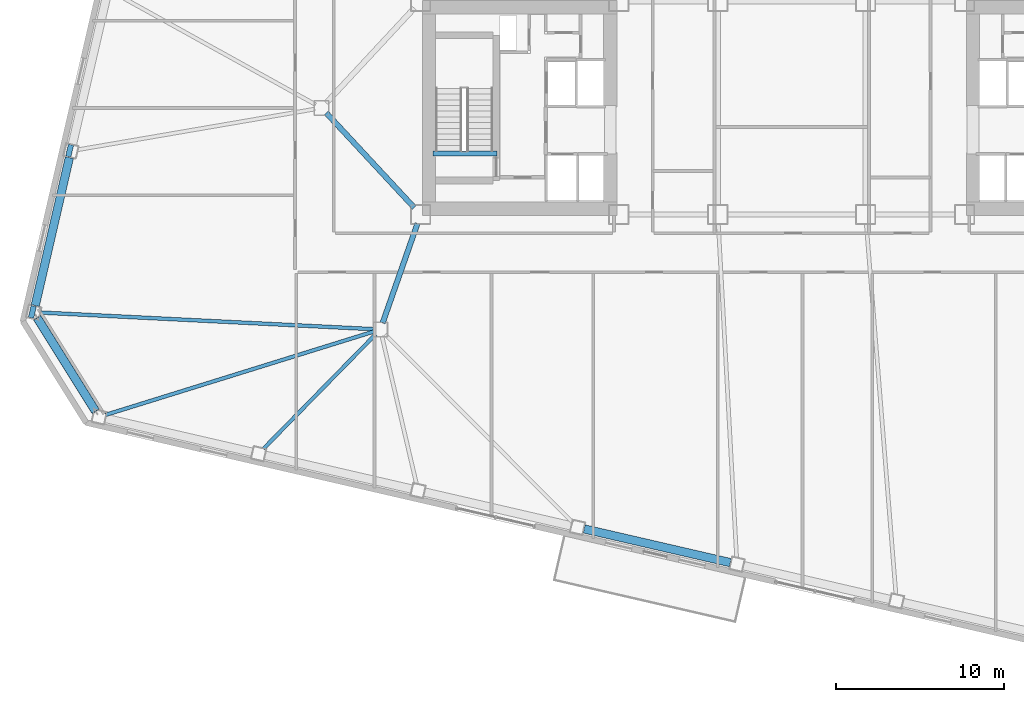
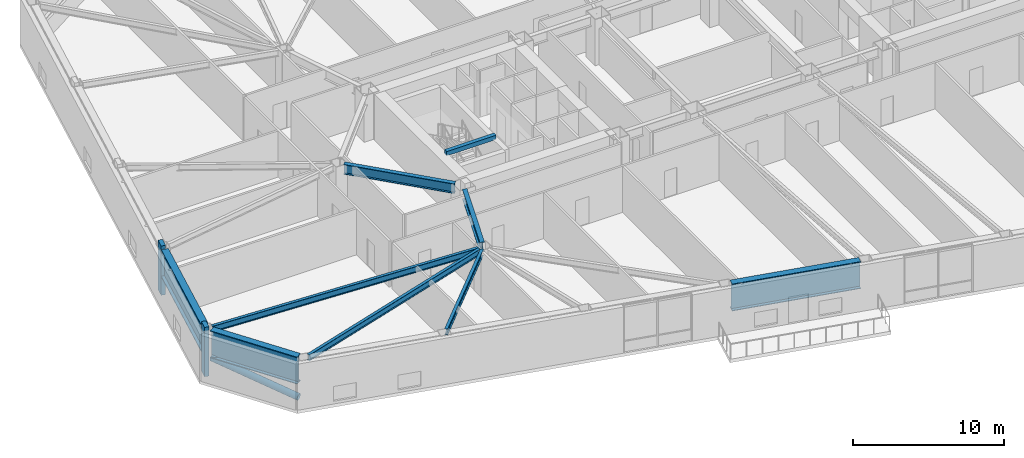
# One storey, part 3 of 21: 9 beams, 3 members.
"""IFC4 building model written with IfcOpenShell, lengths in metres."""

from ifc_helpers import new_model, si_unit, direction, frame, origin, origin_2d, place, context, subcontext, project, spatial, rectangle, hollow_circle, i_section, extrude, material, material_profile, profile_set, type_object, element, save


model = new_model("IFC4")

# Units and contexts
model_context = context("Model", 3, precision=1e-05, world=origin(), true_north=direction((0.0, 1.0)))
body_context = subcontext(model_context, "Body", "Model", "MODEL_VIEW")
ifc_project = project(units=[si_unit("LENGTHUNIT", "METRE"), si_unit("AREAUNIT", "SQUARE_METRE"), si_unit("VOLUMEUNIT", "CUBIC_METRE"), si_unit("PLANEANGLEUNIT", "RADIAN"), si_unit("MASSUNIT", "GRAM", prefix="KILO")], contexts=[model_context])

# Site, building, storey
site_placement = place(None, origin())
site = spatial("IfcSite", under=ifc_project, at=site_placement, CompositionType="ELEMENT")
building_placement = place(site_placement, origin())
building = spatial("IfcBuilding", under=site, at=building_placement, Name="Tavrogorsk Clinical Tower", CompositionType="ELEMENT")
storey_placement = place(building_placement, frame((0.0, 0.0, 59.39990234375)))
storey = spatial("IfcBuildingStorey", under=building, at=storey_placement, Name="L12", CompositionType="ELEMENT", Elevation=59.39990234375)

# Member
ifc_material_1 = material(Name="Structural steel S440", Category="steel")
ifc_material_profile_1 = material_profile(ifc_material_1, hollow_circle(Radius=0.25390625, WallThickness=0.02001953125, at=origin_2d()), Name="CHS-508x20")
ifc_profile_set_1 = profile_set([ifc_material_profile_1], Name="Structural steel S440")
member_type_1 = type_object("IfcMemberType", Name="ExoBrace_CHS508", PredefinedType="BRACE", material=ifc_profile_set_1)
member_placement = place(storey_placement, frame((-41.46484375, -18.064453125, 0.365234375), z_axis=(-0.523088659359, 0.837170036899, 0.159764150445), x_axis=(-0.8480632277, -0.529895047932, 0.0)))
element("IfcMember", 1, at=member_placement, inside=storey, type_object=member_type_1, Name="L12 Corner Exoskeleton Brace W5-S1", PredefinedType="BRACE", context=body_context, shape_type="SweptSolid", body=[
    extrude(hollow_circle(Radius=0.25390625, WallThickness=0.02001953125, at=origin_2d()), origin(), (0.0, 0.0, 1.0), 6.633544921875),
])

# Beams
ifc_material_2 = material(Name="Structural steel S355", Category="steel")
ifc_material_profile_2 = material_profile(ifc_material_2, i_section(OverallWidth=0.219970703125, OverallDepth=0.5, WebThickness=0.012939453125, FlangeThickness=0.02001953125, at=origin_2d()), Name="B-500x220x13x20")
ifc_profile_set_2 = profile_set([ifc_material_profile_2], Name="Structural steel S355")
beam_type_1 = type_object("IfcBeamType", Name="FloorBeam_B500", PredefinedType="BEAM", material=ifc_profile_set_2)
beam_1_placement = place(storey_placement, frame((-24.8916015625, -13.32177734375, 3.489990234375), z_axis=(-0.954946638684, -0.296777555193, 0.0), x_axis=(0.296777555193, -0.954946638684, 0.0)))
element("IfcBeam", 2, at=beam_1_placement, inside=storey, type_object=beam_type_1, Name="L12 Radial Floor Beam S1", PredefinedType="BEAM", context=body_context, shape_type="SweptSolid", body=[
    extrude(i_section(OverallWidth=0.219970703125, OverallDepth=0.5, WebThickness=0.012939453125, FlangeThickness=0.02001953125, at=origin_2d()), origin(), (0.0, 0.0, 1.0), 16.723388671875),
])
beam_2_placement = place(storey_placement, frame((-24.787109375, -13.492919921875, 3.489990234375), z_axis=(-0.699997226081, -0.714145561828, 0.0), x_axis=(0.714145561828, -0.699997226081, 0.0)))
element("IfcBeam", 3, at=beam_2_placement, inside=storey, type_object=beam_type_1, Name="L12 Radial Floor Beam S2", PredefinedType="BEAM", context=body_context, shape_type="SweptSolid", body=[
    extrude(i_section(OverallWidth=0.219970703125, OverallDepth=0.5, WebThickness=0.012939453125, FlangeThickness=0.02001953125, at=origin_2d()), origin(), (0.0, 0.0, 1.0), 9.54248046875),
])
beam_3_placement = place(storey_placement, frame((-24.909423828125, -13.179443359375, 3.489990234375), z_axis=(-0.998757515428, 0.049833978136, 0.0), x_axis=(-0.049833978136, -0.998757515428, 0.0)))
element("IfcBeam", 4, at=beam_3_placement, inside=storey, type_object=beam_type_1, Name="L12 Radial Floor Beam W5", PredefinedType="BEAM", context=body_context, shape_type="SweptSolid", body=[
    extrude(i_section(OverallWidth=0.219970703125, OverallDepth=0.5, WebThickness=0.012939453125, FlangeThickness=0.02001953125, at=origin_2d()), origin(), (0.0, 0.0, 1.0), 19.85595703125),
])

# Members
ifc_material_3 = material(Name="Precast concrete B45 with limestone cladding", Category="masonry")
ifc_material_profile_3 = material_profile(ifc_material_3, rectangle(XDim=0.320068359375, YDim=0.719970703125, at=origin_2d()), Name="LIMESTONE-FIN-320x720")
ifc_profile_set_3 = profile_set([ifc_material_profile_3], Name="Precast concrete B45 with limestone cladding")
member_type_2 = type_object("IfcMemberType", Name="LimestonePleatFin_320x720", PredefinedType="USERDEFINED", material=ifc_profile_set_3)
for number, where, z_axis, x_axis, name in (
    (5, (-43.008056640625, -2.544189453125, 0.0), (0.0, 0.0, 1.0), (0.974370064785, -0.224951054344, 0.0), "L12 W Pleated Stone Fin 3"),
    (6, (-45.226318359375, -12.151611328125, 0.0), (0.0, 0.0, 1.0), (0.974370064785, -0.224951054344, 0.0), "L12 W Pleated Stone Fin 4"),
):
    element("IfcMember", number, at=place(storey_placement, frame(where, z_axis=z_axis, x_axis=x_axis)), inside=storey, type_object=member_type_2, Name=name, ObjectType="FIN", PredefinedType="USERDEFINED", context=body_context, shape_type="SweptSolid", body=[
        extrude(rectangle(XDim=0.320068359375, YDim=0.719970703125, at=origin_2d()), origin(), (0.0, 0.0, 1.0), 4.0),
    ])

# Beams
ifc_material_4 = material(Name="Structural steel S390", Category="steel")
ifc_material_profile_4 = material_profile(ifc_material_4, i_section(OverallWidth=0.320068359375, OverallDepth=0.800048828125, WebThickness=0.02001953125, FlangeThickness=0.033935546875, at=origin_2d()), Name="B-800x320x20x34")
ifc_profile_set_4 = profile_set([ifc_material_profile_4], Name="Structural steel S390")
beam_type_2 = type_object("IfcBeamType", Name="PrimaryGirder_B800", PredefinedType="USERDEFINED", material=ifc_profile_set_4)
beam_4_placement = place(storey_placement, frame((-24.364501953125, -12.81298828125, 3.340087890625), z_axis=(0.330668611543, 0.943746930771, 0.0), x_axis=(-0.943746930771, 0.330668611543, 0.0)))
element("IfcBeam", 7, at=beam_4_placement, inside=storey, type_object=beam_type_2, Name="L12 Spine Link Girder OPG-1", ObjectType="GIRDER", PredefinedType="USERDEFINED", context=body_context, shape_type="SweptSolid", body=[
    extrude(i_section(OverallWidth=0.320068359375, OverallDepth=0.800048828125, WebThickness=0.02001953125, FlangeThickness=0.033935546875, at=origin_2d()), origin(), (0.0, 0.0, 1.0), 6.288330078125),
])
beam_5_placement = place(storey_placement, frame((-27.720947265625, -0.30029296875, 3.340087890625), z_axis=(0.680671250221, -0.732589004233, 0.0), x_axis=(0.732589004233, 0.680671250221, 0.0)))
element("IfcBeam", 8, at=beam_5_placement, inside=storey, type_object=beam_type_2, Name="L12 Spine Link Girder OPG-5", ObjectType="GIRDER", PredefinedType="USERDEFINED", context=body_context, shape_type="SweptSolid", body=[
    extrude(i_section(OverallWidth=0.320068359375, OverallDepth=0.800048828125, WebThickness=0.02001953125, FlangeThickness=0.033935546875, at=origin_2d()), origin(), (0.0, 0.0, 1.0), 7.697998046875),
])
ifc_material_5 = material(Name="Concrete B60", Category="concrete")
ifc_material_profile_5 = material_profile(ifc_material_5, rectangle(XDim=0.300048828125, YDim=0.35009765625, at=origin_2d()), Name="RC-SHB-300x350")
ifc_profile_set_5 = profile_set([ifc_material_profile_5], Name="Concrete B60")
beam_type_3 = type_object("IfcBeamType", Name="StairHeaderBeam_RC300x350", PredefinedType="BEAM", material=ifc_profile_set_5)
beam_6_placement = place(storey_placement, frame((-21.35009765625, -2.719970703125, 3.8251953125), z_axis=(1.0, 0.0, 0.0), x_axis=(0.0, 1.0, 0.0)))
element("IfcBeam", 9, at=beam_6_placement, inside=storey, type_object=beam_type_3, Name="L13 ST-W Landing Header Beam", PredefinedType="BEAM", context=body_context, shape_type="SweptSolid", body=[
    extrude(rectangle(XDim=0.300048828125, YDim=0.35009765625, at=origin_2d()), origin(), (0.0, 0.0, 1.0), 3.800048828125),
])
ifc_material_6 = material(Name="Structural steel S440", Category="steel")
ifc_material_profile_6 = material_profile(ifc_material_6, i_section(OverallWidth=0.5, OverallDepth=2.199951171875, WebThickness=0.035888671875, FlangeThickness=0.054931640625, at=origin_2d()), Name="DK-2200x500x36x55")
ifc_profile_set_6 = profile_set([ifc_material_profile_6], Name="Structural steel S440")
beam_type_4 = type_object("IfcBeamType", Name="TransferGirder_DK2200", PredefinedType="USERDEFINED", material=ifc_profile_set_6)
beam_7_placement = place(storey_placement, frame((-12.357666015625, -25.07666015625, 2.64013671875), z_axis=(0.974372766602, -0.224939351168, 0.0), x_axis=(0.224939351168, 0.974372766602, 0.0)))
element("IfcBeam", 10, at=beam_7_placement, inside=storey, type_object=beam_type_4, Name="L12 Perimeter Spandrel S4-S5", ObjectType="GIRDER", PredefinedType="USERDEFINED", context=body_context, shape_type="SweptSolid", body=[
    extrude(i_section(OverallWidth=0.5, OverallDepth=2.199951171875, WebThickness=0.035888671875, FlangeThickness=0.054931640625, at=origin_2d()), origin(), (0.0, 0.0, 1.0), 8.9326171875),
])
beam_8_placement = place(storey_placement, frame((-43.02197265625, -2.959716796875, 2.64013671875), z_axis=(-0.224971881043, -0.974365256328, 0.0), x_axis=(0.974365256328, -0.224971881043, 0.0)))
element("IfcBeam", 11, at=beam_8_placement, inside=storey, type_object=beam_type_4, Name="L12 Perimeter Spandrel W4-W5", ObjectType="GIRDER", PredefinedType="USERDEFINED", context=body_context, shape_type="SweptSolid", body=[
    extrude(i_section(OverallWidth=0.5, OverallDepth=2.199951171875, WebThickness=0.035888671875, FlangeThickness=0.054931640625, at=origin_2d()), origin(), (0.0, 0.0, 1.0), 9.044189453125),
])
beam_9_placement = place(storey_placement, frame((-44.93212890625, -12.515380859375, 2.64013671875), z_axis=(0.529908311255, -0.848054940238, 0.0), x_axis=(0.848054940238, 0.529908311255, 0.0)))
element("IfcBeam", 12, at=beam_9_placement, inside=storey, type_object=beam_type_4, Name="L12 Perimeter Spandrel W5-S1", ObjectType="GIRDER", PredefinedType="USERDEFINED", context=body_context, shape_type="SweptSolid", body=[
    extrude(i_section(OverallWidth=0.5, OverallDepth=2.199951171875, WebThickness=0.035888671875, FlangeThickness=0.054931640625, at=origin_2d()), origin(), (0.0, 0.0, 1.0), 6.5380859375),
])

save(model, "model.ifc")
